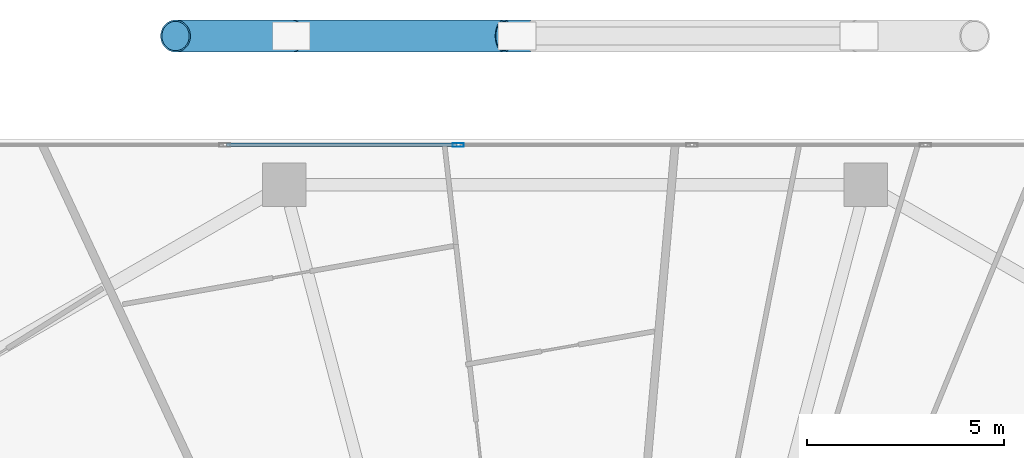
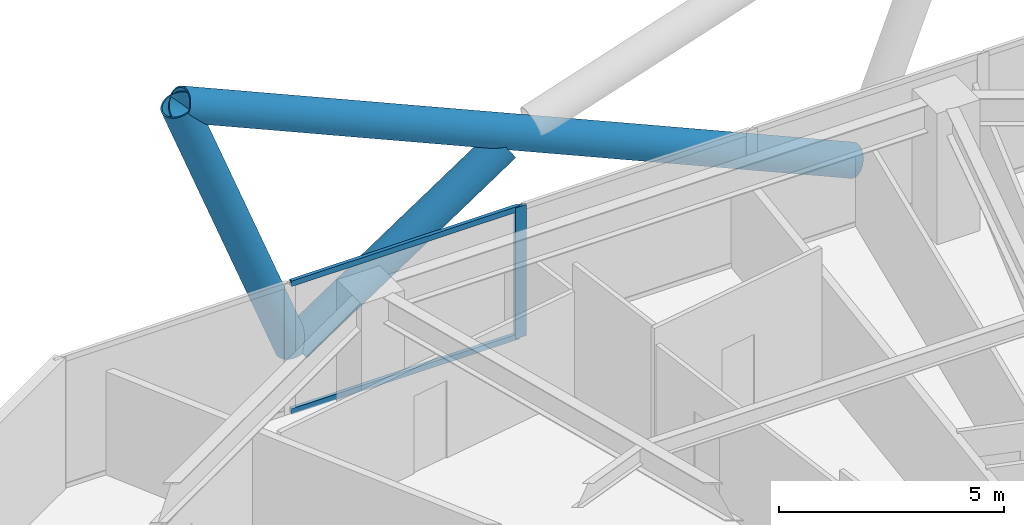
# One storey, part 18 of 34: 6 members, 1 element without a shape of its own.
"""IFC4 building model written with IfcOpenShell, lengths in metres."""

from ifc_helpers import new_model, si_unit, direction, frame, origin, origin_2d, place, context, subcontext, project, spatial, hollow_rectangle, hollow_circle, extrude, material, material_profile, profile_set, type_object, element, aggregate, save


model = new_model("IFC4")

# Units and contexts
model_context = context("Model", 3, precision=1e-05, world=origin(), true_north=direction((0.0, 1.0)))
body_context = subcontext(model_context, "Body", "Model", "MODEL_VIEW")
ifc_project = project(units=[si_unit("LENGTHUNIT", "METRE"), si_unit("AREAUNIT", "SQUARE_METRE"), si_unit("VOLUMEUNIT", "CUBIC_METRE"), si_unit("PLANEANGLEUNIT", "RADIAN"), si_unit("MASSUNIT", "GRAM", prefix="KILO")], contexts=[model_context])

# Site, building, storey
site_placement = place(None, origin())
site = spatial("IfcSite", under=ifc_project, at=site_placement, CompositionType="ELEMENT")
building_placement = place(site_placement, origin())
building = spatial("IfcBuilding", under=site, at=building_placement, Name="Zuhravey Tower", CompositionType="ELEMENT")
storey_placement = place(building_placement, frame((0.0, 0.0, 130.39990234375)))
storey = spatial("IfcBuildingStorey", under=building, at=storey_placement, Name="L32", CompositionType="ELEMENT", Elevation=130.39990234375)

# Curtain wall, members
ifc_material_1 = material(Name="Thermally broken anodised aluminium", Category="aluminium")
curtain_wall_type = type_object("IfcCurtainWallType", Name="Zone 1-2 Residential Curtain Wall CW3", PredefinedType="NOTDEFINED", material=ifc_material_1)
curtain_wall_placement = place(storey_placement, origin())
curtain_wall = element("IfcCurtainWall", 1, at=curtain_wall_placement, inside=storey, type_object=curtain_wall_type, Name="L32 CW3 CW-L32-F2-1", PredefinedType="NOTDEFINED")
ifc_material_2 = material(Name="Anodised aluminium", Category="aluminium")
ifc_material_profile_1 = material_profile(ifc_material_2, hollow_rectangle(XDim=0.090087890625, YDim=0.284912109375, WallThickness=0.0048828125, at=origin_2d()), Name="ALU-RHS-90x285x5")
ifc_profile_set_1 = profile_set([ifc_material_profile_1], Name="Anodised aluminium")
member_type_1 = type_object("IfcMemberType", Name="Curtain-Wall Mullion 90x180", PredefinedType="MULLION", material=ifc_profile_set_1)
member_1_placement = place(storey_placement, frame((33.0400390625, 60.95849609375, 0.0), z_axis=(0.0, 0.0, 1.0), x_axis=(0.0, 1.0, 0.0)))
member_1 = element("IfcMember", 2, at=member_1_placement, type_object=member_type_1, Name="CW3 mullion 3", PredefinedType="MULLION", context=body_context, shape_type="SweptSolid", body=[
    extrude(hollow_rectangle(XDim=0.090087890625, YDim=0.284912109375, WallThickness=0.0048828125, at=origin_2d()), origin(), (0.0, 0.0, 1.0), 3.550048828125),
])
ifc_material_profile_2 = material_profile(ifc_material_2, hollow_rectangle(XDim=0.090087890625, YDim=0.14990234375, WallThickness=0.0048828125, at=origin_2d()), Name="ALU-RHS-90x150x5")
ifc_profile_set_2 = profile_set([ifc_material_profile_2], Name="Anodised aluminium")
member_type_2 = type_object("IfcMemberType", Name="Curtain-Wall Transom 90x150", PredefinedType="USERDEFINED", material=ifc_profile_set_2)
member_2_placement = place(storey_placement, frame((27.165283203125, 60.95849609375, 0.045166015625), z_axis=(1.0, 0.0, 0.0), x_axis=(0.0, 1.0, 0.0)))
member_2 = element("IfcMember", 3, at=member_2_placement, type_object=member_type_2, Name="CW3 transom 2.1", ObjectType="TRANSOM", PredefinedType="USERDEFINED", context=body_context, shape_type="SweptSolid", body=[
    extrude(hollow_rectangle(XDim=0.090087890625, YDim=0.14990234375, WallThickness=0.0048828125, at=origin_2d()), origin(), (0.0, 0.0, 1.0), 5.829833984375),
])
member_3_placement = place(storey_placement, frame((27.165283203125, 60.95849609375, 3.505126953125), z_axis=(1.0, 0.0, 0.0), x_axis=(0.0, 1.0, 0.0)))
member_3 = element("IfcMember", 4, at=member_3_placement, type_object=member_type_2, Name="CW3 transom 2.2", ObjectType="TRANSOM", PredefinedType="USERDEFINED", context=body_context, shape_type="SweptSolid", body=[
    extrude(hollow_rectangle(XDim=0.090087890625, YDim=0.14990234375, WallThickness=0.0048828125, at=origin_2d()), origin(), (0.0, 0.0, 1.0), 5.829833984375),
])
aggregate(curtain_wall, [member_1, member_2, member_3])

# Members
ifc_material_3 = material(Name="Steel SM460", Category="steel")
ifc_material_profile_3 = material_profile(ifc_material_3, hollow_circle(Radius=0.406494140625, WallThickness=0.035888671875, at=origin_2d()), Name="CHS-812.8x36")
ifc_profile_set_3 = profile_set([ifc_material_profile_3], Name="Steel SM460")
member_type_3 = type_object("IfcMemberType", Name="Exoskeleton Zone 1 Diagrid CHS813x36", PredefinedType="BRACE", material=ifc_profile_set_3)
member_4_placement = place(storey_placement, frame((43.143798828125, 63.718505859375, -0.44189453125), z_axis=(-0.915813914958, 0.0, 0.401602879931), x_axis=(0.0, -1.0, 0.0)))
element("IfcMember", 5, at=member_4_placement, inside=storey, type_object=member_type_3, Name="L32 Face 2 Diagrid Brace 2", PredefinedType="BRACE", context=body_context, shape_type="SweptSolid", body=[
    extrude(hollow_circle(Radius=0.406494140625, WallThickness=0.035888671875, at=origin_2d()), origin(), (0.0, 0.0, 1.0), 18.814453125),
])
member_5_placement = place(storey_placement, frame((28.797607421875, 63.718505859375, -0.44189453125), z_axis=(-0.361092156446, 0.0, 0.932530136003), x_axis=(0.0, -1.0, 0.0)))
element("IfcMember", 6, at=member_5_placement, inside=storey, type_object=member_type_3, Name="L32 Face 2 Diagrid Brace 4", PredefinedType="BRACE", context=body_context, shape_type="SweptSolid", body=[
    extrude(hollow_circle(Radius=0.406494140625, WallThickness=0.035888671875, at=origin_2d()), origin(), (0.0, 0.0, 1.0), 8.1025390625),
])
member_6_placement = place(storey_placement, frame((28.851806640625, 63.718505859375, -0.43359375), z_axis=(0.833055542468, 0.0, 0.553189355613), x_axis=(0.0, 1.0, 0.0)))
element("IfcMember", 7, at=member_6_placement, inside=storey, type_object=member_type_3, Name="L32 Face 2 Split Diagrid Brace 3A", PredefinedType="BRACE", context=body_context, shape_type="SweptSolid", body=[
    extrude(hollow_circle(Radius=0.406494140625, WallThickness=0.035888671875, at=origin_2d()), origin(), (0.0, 0.0, 1.0), 6.41796875),
])

save(model, "model.ifc")
